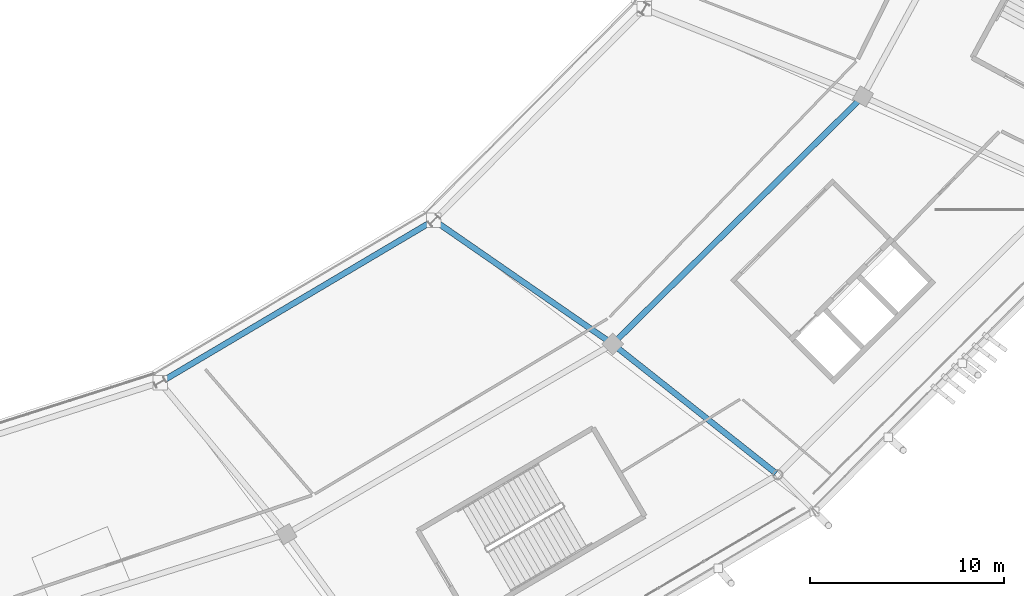
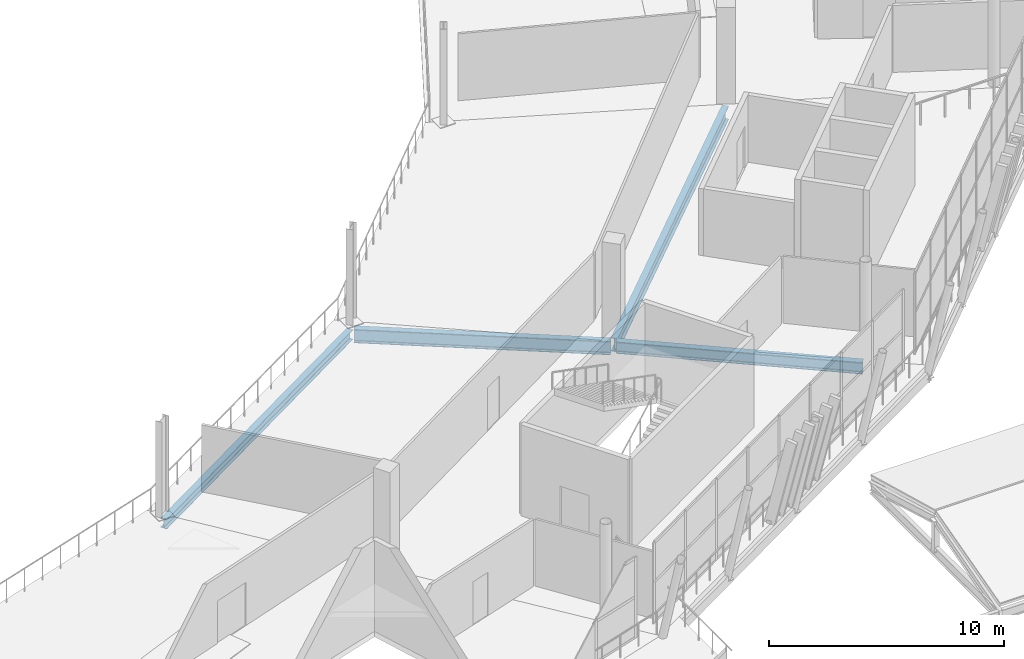
# One storey, part 56 of 179: 4 beams.
"""IFC4 building model written with IfcOpenShell, lengths in metres."""

from ifc_helpers import new_model, si_unit, direction, frame, origin, origin_2d, place, context, subcontext, project, spatial, i_section, extrude, material, material_profile, profile_set, type_object, element, save


model = new_model("IFC4")

# Units and contexts
model_context = context("Model", 3, precision=1e-05, world=origin(), true_north=direction((0.0, 1.0)))
body_context = subcontext(model_context, "Body", "Model", "MODEL_VIEW")
ifc_project = project(units=[si_unit("LENGTHUNIT", "METRE"), si_unit("AREAUNIT", "SQUARE_METRE"), si_unit("VOLUMEUNIT", "CUBIC_METRE"), si_unit("PLANEANGLEUNIT", "RADIAN"), si_unit("MASSUNIT", "GRAM", prefix="KILO")], contexts=[model_context])

# Site, building, storey
site_placement = place(None, origin())
site = spatial("IfcSite", under=ifc_project, at=site_placement, CompositionType="ELEMENT")
building_placement = place(site_placement, origin())
building = spatial("IfcBuilding", under=site, at=building_placement, Name="Zlatoyarsky Gate Stadium", CompositionType="ELEMENT")
storey_placement = place(building_placement, frame((0.0, 0.0, 10.60009765625)))
storey = spatial("IfcBuildingStorey", under=building, at=storey_placement, Name="L02", CompositionType="ELEMENT", Elevation=10.60009765625)

# Beams
ifc_material = material(Name="Steel S355", Category="steel")
ifc_material_profile_1 = material_profile(ifc_material, i_section(OverallWidth=0.300048828125, OverallDepth=0.5, WebThickness=0.014404296875, FlangeThickness=0.028076171875, FilletRadius=0.027099609375, at=origin_2d()), Name="HEB 500")
ifc_profile_set_1 = profile_set([ifc_material_profile_1], Name="Steel S355")
beam_type_1 = type_object("IfcBeamType", Name="STEEL PRIMARY GIRDER HEB 500", PredefinedType="BEAM", material=ifc_profile_set_1)
beam_1_placement = place(storey_placement, frame((145.103271484375, 34.594970703125, -0.530029296875), z_axis=(0.860360371321, 0.50968620882, 0.0), x_axis=(-0.50968620882, 0.860360371321, 0.0)))
element("IfcBeam", 1, at=beam_1_placement, inside=storey, type_object=beam_type_1, Name="Beam G-HEB500 BM-L02-CRA-20", PredefinedType="BEAM", context=body_context, shape_type="SweptSolid", body=[
    extrude(i_section(OverallWidth=0.300048828125, OverallDepth=0.5, WebThickness=0.014404296875, FlangeThickness=0.028076171875, FilletRadius=0.027099609375, at=origin_2d()), origin(), (0.0, 0.0, 1.0), 16.12890625),
])
ifc_material_profile_2 = material_profile(ifc_material, i_section(OverallWidth=0.300048828125, OverallDepth=0.60009765625, WebThickness=0.015380859375, FlangeThickness=0.030029296875, FilletRadius=0.027099609375, at=origin_2d()), Name="HEB 600")
ifc_profile_set_2 = profile_set([ifc_material_profile_2], Name="Steel S355")
beam_type_2 = type_object("IfcBeamType", Name="STEEL PRIMARY GIRDER HEB 600", PredefinedType="BEAM", material=ifc_profile_set_2)
beam_2_placement = place(storey_placement, frame((168.36962890625, 36.4384765625, -0.580078125), z_axis=(0.78404348542, -0.620705898933, 0.0), x_axis=(0.620705898933, 0.78404348542, 0.0)))
element("IfcBeam", 2, at=beam_2_placement, inside=storey, type_object=beam_type_2, Name="Beam G-HEB600 BM-L02-RBC-21", PredefinedType="BEAM", context=body_context, shape_type="SweptSolid", body=[
    extrude(i_section(OverallWidth=0.300048828125, OverallDepth=0.60009765625, WebThickness=0.015380859375, FlangeThickness=0.030029296875, FilletRadius=0.027099609375, at=origin_2d()), origin(), (0.0, 0.0, 1.0), 10.58251953125),
])
ifc_material_profile_3 = material_profile(ifc_material, i_section(OverallWidth=0.300048828125, OverallDepth=0.699951171875, WebThickness=0.01708984375, FlangeThickness=0.031982421875, FilletRadius=0.027099609375, at=origin_2d()), Name="HEB 700")
ifc_profile_set_3 = profile_set([ifc_material_profile_3], Name="Steel S355")
beam_type_3 = type_object("IfcBeamType", Name="STEEL PRIMARY GIRDER HEB 700", PredefinedType="BEAM", material=ifc_profile_set_3)
beam_3_placement = place(storey_placement, frame((159.181884765625, 42.80859375, -0.630126953125), z_axis=(0.822196208432, -0.569204176758, 0.0), x_axis=(0.569204176758, 0.822196208432, 0.0)))
element("IfcBeam", 3, at=beam_3_placement, inside=storey, type_object=beam_type_3, Name="Beam G-HEB700 BM-L02-RAB-21", PredefinedType="BEAM", context=body_context, shape_type="SweptSolid", body=[
    extrude(i_section(OverallWidth=0.300048828125, OverallDepth=0.699951171875, WebThickness=0.01708984375, FlangeThickness=0.031982421875, FilletRadius=0.027099609375, at=origin_2d()), origin(), (0.0, 0.0, 1.0), 10.9404296875),
])
beam_4_placement = place(storey_placement, frame((168.36083984375, 36.597412109375, -0.630126953125), z_axis=(0.710840510009, 0.703353232259, 0.0), x_axis=(-0.703353232259, 0.710840510009, 0.0)))
element("IfcBeam", 4, at=beam_4_placement, inside=storey, type_object=beam_type_3, Name="Beam G-HEB700 BM-L02-CRB-21", PredefinedType="BEAM", context=body_context, shape_type="SweptSolid", body=[
    extrude(i_section(OverallWidth=0.300048828125, OverallDepth=0.699951171875, WebThickness=0.01708984375, FlangeThickness=0.031982421875, FilletRadius=0.027099609375, at=origin_2d()), origin(), (0.0, 0.0, 1.0), 17.868896484375),
])

save(model, "model.ifc")
